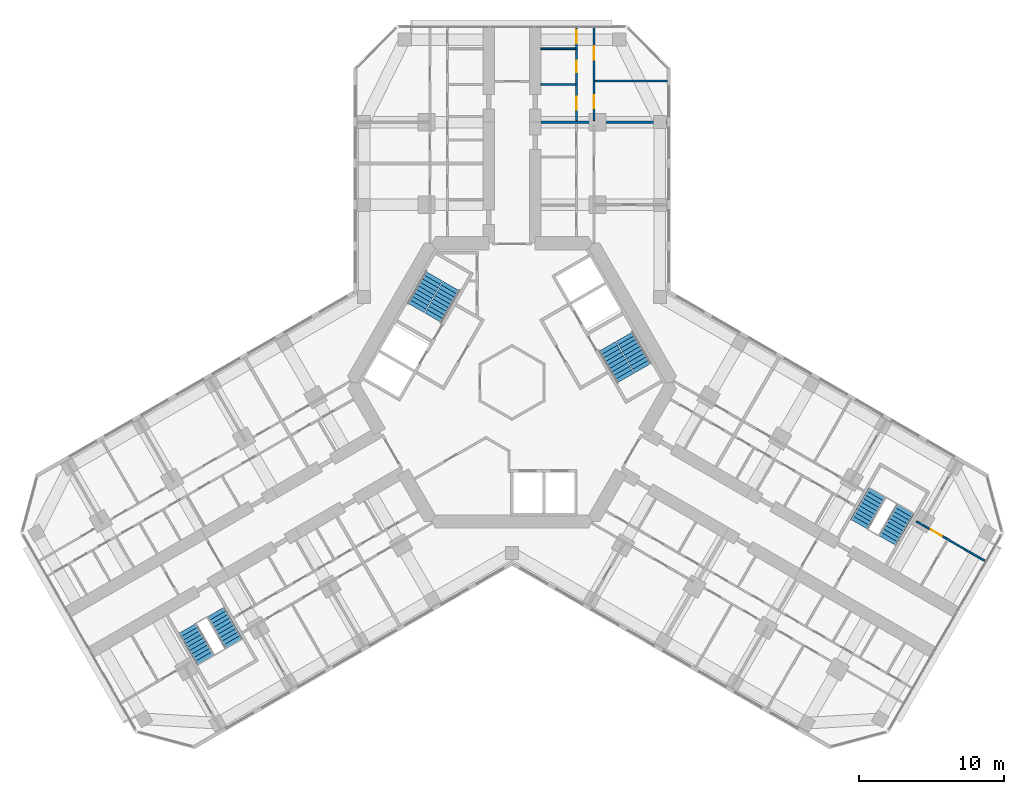
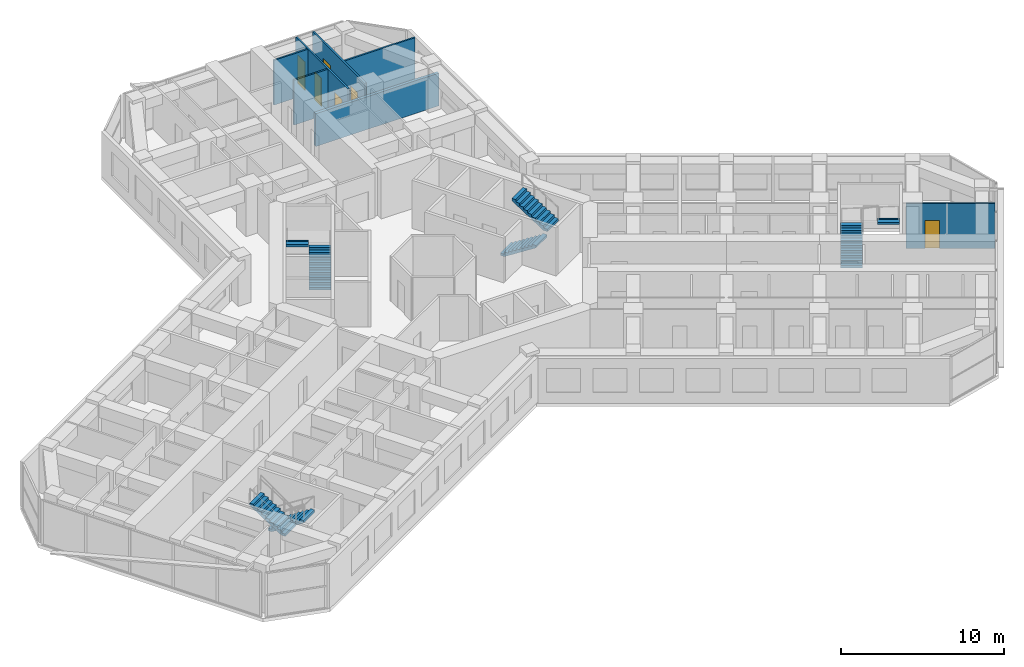
# One storey, part 18 of 19: 8 stair flights, 7 walls, 6 doors, 6 openings, 4 elements without a shape of their own.
"""IFC4 building model written with IfcOpenShell, lengths in metres."""

from ifc_helpers import new_model, si_unit, direction, frame, frame_2d, origin, place, context, subcontext, project, spatial, polyline, rectangle, outline, extrude, material, layer, layer_set, type_object, element, fill, aggregate, save


model = new_model("IFC4")

# Units and contexts
model_context = context("Model", 3, precision=1e-05, world=origin(), true_north=direction((0.0, 1.0)))
body_context = subcontext(model_context, "Body", "Model", "MODEL_VIEW")
ifc_project = project(units=[si_unit("LENGTHUNIT", "METRE"), si_unit("AREAUNIT", "SQUARE_METRE"), si_unit("VOLUMEUNIT", "CUBIC_METRE"), si_unit("PLANEANGLEUNIT", "RADIAN"), si_unit("MASSUNIT", "GRAM", prefix="KILO")], contexts=[model_context])

# Site, building, storey
site_placement = place(None, origin())
site = spatial("IfcSite", under=ifc_project, at=site_placement, CompositionType="ELEMENT")
building_placement = place(site_placement, origin())
building = spatial("IfcBuilding", under=site, at=building_placement, Name="Kosmar Iwan School Tower", CompositionType="ELEMENT")
storey_placement = place(building_placement, frame((0.0, 0.0, 138.199951171875)))
storey = spatial("IfcBuildingStorey", under=building, at=storey_placement, Name="L34", CompositionType="ELEMENT", Elevation=138.199951171875)

# Wall, openings, doors
ifc_material_1 = material(Name="Gypsum board on steel studs", Category="steel")
ifc_layer_1 = layer(ifc_material_1, 0.1201171875)
ifc_layer_set_1 = layer_set([ifc_layer_1], Name="Dwelling partition 120")
wall_type_1 = type_object("IfcWallType", Name="Dwelling partition 120", PredefinedType="PARTITIONING", material=ifc_layer_set_1)
wall_1_placement = place(storey_placement, frame((4.449951171875, 18.050048828125, 0.0), z_axis=(0.0, 0.0, 1.0), x_axis=(0.0, 1.0, 0.0)))
wall_1 = element("IfcWall", 1, at=wall_1_placement, inside=storey, type_object=wall_type_1, Name="Partition L34-AR2-W1", PredefinedType="PARTITIONING", context=body_context, shape_type="SweptSolid", body=[
    extrude(rectangle(XDim=6.39501953125, YDim=0.1201171875, at=frame_2d((3.197509765625, 0.0))), origin(), (0.0, 0.0, 1.0), 3.35009765625),
])
opening_1_placement = place(wall_1_placement, frame((0.75, 0.0, 0.0)))
opening_1 = element("IfcOpeningElement", 2, at=opening_1_placement, cuts=wall_1, Name="Opening D2", PredefinedType="OPENING", context=body_context, shape_type="SweptSolid", body=[
    extrude(rectangle(XDim=0.89990234375, YDim=2.10009765625, at=frame_2d((0.449951171875, 1.050048828125))), frame((0.0, 0.072021484375, 0.0), z_axis=(0.0, -1.0, 0.0), x_axis=(1.0, 0.0, 0.0)), (0.0, 0.0, 1.0), 0.14404296875),
])
opening_2_placement = place(wall_1_placement, frame((3.330078125, 0.0, 0.0)))
opening_2 = element("IfcOpeningElement", 3, at=opening_2_placement, cuts=wall_1, Name="Opening D3", PredefinedType="OPENING", context=body_context, shape_type="SweptSolid", body=[
    extrude(rectangle(XDim=0.800048828125, YDim=2.10009765625, at=frame_2d((0.39990234375, 1.050048828125))), frame((0.0, 0.072021484375, 0.0), z_axis=(0.0, -1.0, 0.0), x_axis=(1.0, 0.0, 0.0)), (0.0, 0.0, 1.0), 0.14404296875),
])
opening_3_placement = place(wall_1_placement, frame((5.330078125, 0.0, 0.0)))
opening_3 = element("IfcOpeningElement", 4, at=opening_3_placement, cuts=wall_1, Name="Opening D2", PredefinedType="OPENING", context=body_context, shape_type="SweptSolid", body=[
    extrude(rectangle(XDim=0.89990234375, YDim=2.10009765625, at=frame_2d((0.449951171875, 1.050048828125))), frame((0.0, 0.072021484375, 0.0), z_axis=(0.0, -1.0, 0.0), x_axis=(1.0, 0.0, 0.0)), (0.0, 0.0, 1.0), 0.14404296875),
])
ifc_material_2 = material(Name="Timber door in timber frame", Category="wood")
door_type_1 = type_object("IfcDoorType", Name="Internal door 900x2100", OperationType="SINGLE_SWING_LEFT", PredefinedType="DOOR", material=ifc_material_2)
door_1_placement = place(opening_1_placement, origin())
door_1 = element("IfcDoor", 5, at=door_1_placement, inside=storey, type_object=door_type_1, Name="Entrance hall door L34-AR2-S1", OperationType="SINGLE_SWING_RIGHT", OverallHeight=2.10009765625, OverallWidth=0.89990234375, PredefinedType="DOOR", context=body_context, shape_type="SweptSolid", body=[
    extrude(rectangle(XDim=0.89990234375, YDim=2.10009765625, at=frame_2d((0.449951171875, 1.050048828125))), frame((0.0, 0.02490234375, 0.0), z_axis=(0.0, -1.0, 0.0), x_axis=(1.0, 0.0, 0.0)), (0.0, 0.0, 1.0), 0.050048828125),
])
fill(opening_1, door_1)
door_2_placement = place(opening_3_placement, origin())
door_2 = element("IfcDoor", 6, at=door_2_placement, inside=storey, type_object=door_type_1, Name="Pantry door L34-AR2-S3", OperationType="SINGLE_SWING_RIGHT", OverallHeight=2.10009765625, OverallWidth=0.89990234375, PredefinedType="DOOR", context=body_context, shape_type="SweptSolid", body=[
    extrude(rectangle(XDim=0.89990234375, YDim=2.10009765625, at=frame_2d((0.449951171875, 1.050048828125))), frame((0.0, 0.02490234375, 0.0), z_axis=(0.0, -1.0, 0.0), x_axis=(1.0, 0.0, 0.0)), (0.0, 0.0, 1.0), 0.050048828125),
])
fill(opening_3, door_2)
ifc_material_3 = material(Name="Timber door in timber frame", Category="wood")
door_type_2 = type_object("IfcDoorType", Name="Sanitary room door 800x2100", OperationType="SINGLE_SWING_LEFT", PredefinedType="DOOR", material=ifc_material_3)
door_3_placement = place(opening_2_placement, origin())
door_3 = element("IfcDoor", 7, at=door_3_placement, inside=storey, type_object=door_type_2, Name="Bathroom door L34-AR2-S2", OperationType="SINGLE_SWING_LEFT", OverallHeight=2.10009765625, OverallWidth=0.800048828125, PredefinedType="DOOR", context=body_context, shape_type="SweptSolid", body=[
    extrude(rectangle(XDim=0.800048828125, YDim=2.10009765625, at=frame_2d((0.39990234375, 1.050048828125))), frame((0.0, 0.02490234375, 0.0), z_axis=(0.0, -1.0, 0.0), x_axis=(1.0, 0.0, 0.0)), (0.0, 0.0, 1.0), 0.050048828125),
])
fill(opening_2, door_3)

wall_2_placement = place(storey_placement, frame((5.64990234375, 18.050048828125, 0.0), z_axis=(0.0, 0.0, 1.0), x_axis=(0.0, 1.0, 0.0)))
wall_2 = element("IfcWall", 8, at=wall_2_placement, inside=storey, type_object=wall_type_1, Name="Partition L34-AR2-W2", PredefinedType="PARTITIONING", context=body_context, shape_type="SweptSolid", body=[
    extrude(rectangle(XDim=6.39501953125, YDim=0.1201171875, at=frame_2d((3.197509765625, 0.0))), origin(), (0.0, 0.0, 1.0), 3.35009765625),
])
opening_4_placement = place(wall_2_placement, frame((0.875, 0.0, 0.0)))
opening_4 = element("IfcOpeningElement", 9, at=opening_4_placement, cuts=wall_2, Name="Opening D2", PredefinedType="OPENING", context=body_context, shape_type="SweptSolid", body=[
    extrude(rectangle(XDim=0.89990234375, YDim=2.10009765625, at=frame_2d((0.449951171875, 1.050048828125))), frame((0.0, 0.072021484375, 0.0), z_axis=(0.0, -1.0, 0.0), x_axis=(1.0, 0.0, 0.0)), (0.0, 0.0, 1.0), 0.14404296875),
])
opening_5_placement = place(wall_2_placement, frame((4.22509765625, 0.0, 0.0)))
opening_5 = element("IfcOpeningElement", 10, at=opening_5_placement, cuts=wall_2, Name="Opening D2", PredefinedType="OPENING", context=body_context, shape_type="SweptSolid", body=[
    extrude(rectangle(XDim=0.89990234375, YDim=2.10009765625, at=frame_2d((0.449951171875, 1.050048828125))), frame((0.0, 0.072021484375, 0.0), z_axis=(0.0, -1.0, 0.0), x_axis=(1.0, 0.0, 0.0)), (0.0, 0.0, 1.0), 0.14404296875),
])
door_4_placement = place(opening_4_placement, origin())
door_4 = element("IfcDoor", 11, at=door_4_placement, inside=storey, type_object=door_type_1, Name="Family room and kitchen door L34-AR2-F1", OperationType="SINGLE_SWING_LEFT", OverallHeight=2.10009765625, OverallWidth=0.89990234375, PredefinedType="DOOR", context=body_context, shape_type="SweptSolid", body=[
    extrude(rectangle(XDim=0.89990234375, YDim=2.10009765625, at=frame_2d((0.449951171875, 1.050048828125))), frame((0.0, 0.02490234375, 0.0), z_axis=(0.0, -1.0, 0.0), x_axis=(1.0, 0.0, 0.0)), (0.0, 0.0, 1.0), 0.050048828125),
])
fill(opening_4, door_4)
door_5_placement = place(opening_5_placement, origin())
door_5 = element("IfcDoor", 12, at=door_5_placement, inside=storey, type_object=door_type_1, Name="Bedroom 1 door L34-AR2-F2", OperationType="SINGLE_SWING_RIGHT", OverallHeight=2.10009765625, OverallWidth=0.89990234375, PredefinedType="DOOR", context=body_context, shape_type="SweptSolid", body=[
    extrude(rectangle(XDim=0.89990234375, YDim=2.10009765625, at=frame_2d((0.449951171875, 1.050048828125))), frame((0.0, 0.02490234375, 0.0), z_axis=(0.0, -1.0, 0.0), x_axis=(1.0, 0.0, 0.0)), (0.0, 0.0, 1.0), 0.050048828125),
])
fill(opening_5, door_5)

# Walls
wall_3_placement = place(storey_placement, frame((5.7099609375, 20.800048828125, 0.0), z_axis=(0.0, 0.0, 1.0), x_axis=(1.0, 0.0, 0.0)))
element("IfcWall", 13, at=wall_3_placement, inside=storey, type_object=wall_type_1, Name="Partition L34-AR2-X1", PredefinedType="PARTITIONING", context=body_context, shape_type="SweptSolid", body=[
    extrude(rectangle(XDim=4.989990234375, YDim=0.1201171875, at=frame_2d((2.4951171875, 0.0))), origin(), (0.0, 0.0, 1.0), 3.35009765625),
])
for number, where, z_axis, x_axis, name in (
    (14, (2.0, 20.550048828125, 0.0), (0.0, 0.0, 1.0), (1.0, 0.0, 0.0), "Partition L34-AR2-Y1"),
    (15, (2.0, 23.010009765625, 0.0), (0.0, 0.0, 1.0), (1.0, 0.0, 0.0), "Partition L34-AR2-Y2"),
):
    element("IfcWall", number, at=place(storey_placement, frame(where, z_axis=z_axis, x_axis=x_axis)), inside=storey, type_object=wall_type_1, Name=name, PredefinedType="PARTITIONING", context=body_context, shape_type="SweptSolid", body=[
        extrude(rectangle(XDim=2.389892578125, YDim=0.1201171875, at=frame_2d((1.19482421875, 0.0))), origin(), (0.0, 0.0, 1.0), 3.35009765625),
    ])

# Wall, opening, door
wall_4_placement = place(storey_placement, frame((27.896484375, -9.58203125, 0.0), z_axis=(0.0, 0.0, 1.0), x_axis=(0.866035508231, -0.499982498177, 0.0)))
wall_4 = element("IfcWall", 16, at=wall_4_placement, inside=storey, type_object=wall_type_1, Name="Partition L34-CL2-TW", PredefinedType="PARTITIONING", context=body_context, shape_type="SweptSolid", body=[
    extrude(rectangle(XDim=5.445068359375, YDim=0.1201171875, at=frame_2d((2.72265625, 0.0))), origin(), (0.0, 0.0, 1.0), 3.35009765625),
])
opening_6_placement = place(wall_4_placement, frame((1.14990234375, 0.0, 0.0)))
opening_6 = element("IfcOpeningElement", 17, at=opening_6_placement, cuts=wall_4, Name="Opening D2", PredefinedType="OPENING", context=body_context, shape_type="SweptSolid", body=[
    extrude(rectangle(XDim=0.89990234375, YDim=2.10009765625, at=frame_2d((0.449951171875, 1.050048828125))), frame((0.0, 0.072021484375, 0.0), z_axis=(0.0, -1.0, 0.0), x_axis=(1.0, 0.0, 0.0)), (0.0, 0.0, 1.0), 0.14404296875),
])
door_6_placement = place(opening_6_placement, origin())
door_6 = element("IfcDoor", 18, at=door_6_placement, inside=storey, type_object=door_type_1, Name="Dressing room door L34-CL2-T3", OperationType="SINGLE_SWING_LEFT", OverallHeight=2.10009765625, OverallWidth=0.89990234375, PredefinedType="DOOR", context=body_context, shape_type="SweptSolid", body=[
    extrude(rectangle(XDim=0.89990234375, YDim=2.10009765625, at=frame_2d((0.449951171875, 1.050048828125))), frame((0.0, 0.02490234375, 0.0), z_axis=(0.0, -1.0, 0.0), x_axis=(1.0, 0.0, 0.0)), (0.0, 0.0, 1.0), 0.050048828125),
])
fill(opening_6, door_6)

# Wall
ifc_material_4 = material(Name="Concrete block masonry", Category="masonry")
ifc_layer_2 = layer(ifc_material_4, 0.199951171875)
ifc_layer_set_2 = layer_set([ifc_layer_2], Name="Party wall 200")
wall_type_2 = type_object("IfcWallType", Name="Party wall 200", PredefinedType="PARTITIONING", material=ifc_layer_set_2)
wall_5_placement = place(storey_placement, frame((2.0, 17.949951171875, 0.0), z_axis=(0.0, 0.0, 1.0), x_axis=(1.0, 0.0, 0.0)))
element("IfcWall", 19, at=wall_5_placement, inside=storey, type_object=wall_type_2, Name="Partition L34-AR2-PW", PredefinedType="PARTITIONING", context=body_context, shape_type="SweptSolid", body=[
    extrude(rectangle(XDim=8.699951171875, YDim=0.199951171875, at=frame_2d((4.35009765625, 0.0))), origin(), (0.0, 0.0, 1.0), 2.449951171875),
])

# Stair, stair flights
ifc_material_5 = material(Name="Concrete C35/45", Category="concrete")
stair_type_1 = type_object("IfcStairType", Name="Escape stair 3600", PredefinedType="HALF_TURN_STAIR", material=ifc_material_5)
stair_1_placement = place(storey_placement, origin())
stair_1 = element("IfcStair", 20, at=stair_1_placement, inside=storey, type_object=stair_type_1, Name="Stair WS2 L34", PredefinedType="HALF_TURN_STAIR")
ifc_material_6 = material(Name="Concrete C35/45", Category="concrete")
stair_flight_type_1 = type_object("IfcStairFlightType", Name="Escape stair flight 1350", PredefinedType="STRAIGHT", material=ifc_material_6)
stair_flight_1_placement = place(storey_placement, frame((-20.44189453125, -15.843505859375, 0.0), z_axis=(0.0, 0.0, 1.0), x_axis=(0.5, -0.866025403784, 0.0)))
stair_flight_1 = element("IfcStairFlight", 21, at=stair_flight_1_placement, type_object=stair_flight_type_1, Name="WS2 flight 1", NumberOfRisers=10, NumberOfTreads=9, PredefinedType="STRAIGHT", RiserHeight=0.18, TreadLength=0.28, context=body_context, shape_type="SweptSolid", body=[
    extrude(outline(polyline([(0.0, 0.0), (0.0, 0.179931640625), (0.280029296875, 0.179931640625), (0.280029296875, 0.360107421875), (0.56005859375, 0.360107421875), (0.56005859375, 0.5400390625), (0.840087890625, 0.5400390625), (0.840087890625, 0.719970703125), (1.1201171875, 0.719970703125), (1.1201171875, 0.89990234375), (1.39990234375, 0.89990234375), (1.39990234375, 1.080078125), (1.679931640625, 1.080078125), (1.679931640625, 1.260009765625), (1.9599609375, 1.260009765625), (1.9599609375, 1.43994140625), (2.239990234375, 1.43994140625), (2.239990234375, 1.6201171875), (2.52001953125, 1.6201171875), (2.52001953125, 1.800048828125), (2.52001953125, 1.44189453125), (0.277099609375, 0.0), (0.0, 0.0)])), frame((0.0, 0.675048828125, 0.0), z_axis=(0.0, -1.0, 0.0), x_axis=(1.0, 0.0, 0.0)), (0.0, 0.0, 1.0), 1.35009765625),
])
stair_flight_2_placement = place(storey_placement, frame((-21.13037109375, -19.15087890625, 1.800048828125), z_axis=(0.0, 0.0, 1.0), x_axis=(-0.5, 0.866025403784, 0.0)))
stair_flight_2 = element("IfcStairFlight", 22, at=stair_flight_2_placement, type_object=stair_flight_type_1, Name="WS2 flight 2", NumberOfRisers=10, NumberOfTreads=9, PredefinedType="STRAIGHT", RiserHeight=0.18, TreadLength=0.28, context=body_context, shape_type="SweptSolid", body=[
    extrude(outline(polyline([(0.0, 0.0), (0.0, 0.179931640625), (0.280029296875, 0.179931640625), (0.280029296875, 0.360107421875), (0.56005859375, 0.360107421875), (0.56005859375, 0.5400390625), (0.840087890625, 0.5400390625), (0.840087890625, 0.719970703125), (1.1201171875, 0.719970703125), (1.1201171875, 0.89990234375), (1.39990234375, 0.89990234375), (1.39990234375, 1.080078125), (1.679931640625, 1.080078125), (1.679931640625, 1.260009765625), (1.9599609375, 1.260009765625), (1.9599609375, 1.43994140625), (2.239990234375, 1.43994140625), (2.239990234375, 1.6201171875), (2.52001953125, 1.6201171875), (2.52001953125, 1.800048828125), (2.52001953125, 1.44189453125), (0.277099609375, 0.0), (0.0, 0.0)])), frame((0.0, 0.675048828125, 0.0), z_axis=(0.0, -1.0, 0.0), x_axis=(1.0, 0.0, 0.0)), (0.0, 0.0, 1.0), 1.35009765625),
])
aggregate(stair_1, [stair_flight_1, stair_flight_2])

stair_2_placement = place(storey_placement, origin())
stair_2 = element("IfcStair", 23, at=stair_2_placement, inside=storey, type_object=stair_type_1, Name="Stair WS3 L34", PredefinedType="HALF_TURN_STAIR")
stair_flight_3_placement = place(storey_placement, frame((23.94189453125, -9.781494140625, 0.0), z_axis=(0.0, 0.0, 1.0), x_axis=(0.5, 0.866025403784, 0.0)))
stair_flight_3 = element("IfcStairFlight", 24, at=stair_flight_3_placement, type_object=stair_flight_type_1, Name="WS3 flight 1", NumberOfRisers=10, NumberOfTreads=9, PredefinedType="STRAIGHT", RiserHeight=0.18, TreadLength=0.28, context=body_context, shape_type="SweptSolid", body=[
    extrude(outline(polyline([(0.0, 0.0), (0.0, 0.179931640625), (0.280029296875, 0.179931640625), (0.280029296875, 0.360107421875), (0.56005859375, 0.360107421875), (0.56005859375, 0.5400390625), (0.840087890625, 0.5400390625), (0.840087890625, 0.719970703125), (1.1201171875, 0.719970703125), (1.1201171875, 0.89990234375), (1.39990234375, 0.89990234375), (1.39990234375, 1.080078125), (1.679931640625, 1.080078125), (1.679931640625, 1.260009765625), (1.9599609375, 1.260009765625), (1.9599609375, 1.43994140625), (2.239990234375, 1.43994140625), (2.239990234375, 1.6201171875), (2.52001953125, 1.6201171875), (2.52001953125, 1.800048828125), (2.52001953125, 1.44189453125), (0.277099609375, 0.0), (0.0, 0.0)])), frame((0.0, 0.675048828125, 0.0), z_axis=(0.0, -1.0, 0.0), x_axis=(1.0, 0.0, 0.0)), (0.0, 0.0, 1.0), 1.35009765625),
])
stair_flight_4_placement = place(storey_placement, frame((27.150390625, -8.72412109375, 1.800048828125), z_axis=(0.0, 0.0, 1.0), x_axis=(-0.5, -0.866025403784, 0.0)))
stair_flight_4 = element("IfcStairFlight", 25, at=stair_flight_4_placement, type_object=stair_flight_type_1, Name="WS3 flight 2", NumberOfRisers=10, NumberOfTreads=9, PredefinedType="STRAIGHT", RiserHeight=0.18, TreadLength=0.28, context=body_context, shape_type="SweptSolid", body=[
    extrude(outline(polyline([(0.0, 0.0), (0.0, 0.179931640625), (0.280029296875, 0.179931640625), (0.280029296875, 0.360107421875), (0.56005859375, 0.360107421875), (0.56005859375, 0.5400390625), (0.840087890625, 0.5400390625), (0.840087890625, 0.719970703125), (1.1201171875, 0.719970703125), (1.1201171875, 0.89990234375), (1.39990234375, 0.89990234375), (1.39990234375, 1.080078125), (1.679931640625, 1.080078125), (1.679931640625, 1.260009765625), (1.9599609375, 1.260009765625), (1.9599609375, 1.43994140625), (2.239990234375, 1.43994140625), (2.239990234375, 1.6201171875), (2.52001953125, 1.6201171875), (2.52001953125, 1.800048828125), (2.52001953125, 1.44189453125), (0.277099609375, 0.0), (0.0, 0.0)])), frame((0.0, 0.675048828125, 0.0), z_axis=(0.0, -1.0, 0.0), x_axis=(1.0, 0.0, 0.0)), (0.0, 0.0, 1.0), 1.35009765625),
])
aggregate(stair_2, [stair_flight_3, stair_flight_4])

ifc_material_7 = material(Name="Concrete C35/45", Category="concrete")
stair_type_2 = type_object("IfcStairType", Name="Core stair 2750", PredefinedType="HALF_TURN_STAIR", material=ifc_material_7)
stair_3_placement = place(storey_placement, origin())
stair_3 = element("IfcStair", 26, at=stair_3_placement, inside=storey, type_object=stair_type_2, Name="Stair ST2 L34", PredefinedType="HALF_TURN_STAIR")
ifc_material_8 = material(Name="Concrete C35/45", Category="concrete")
stair_flight_type_2 = type_object("IfcStairFlightType", Name="Stair flight 1350", PredefinedType="STRAIGHT", material=ifc_material_8)
stair_flight_5_placement = place(storey_placement, frame((-5.42724609375, 4.44970703125, 0.0), z_axis=(0.0, 0.0, 1.0), x_axis=(0.5, 0.866025403784, 0.0)))
stair_flight_5 = element("IfcStairFlight", 27, at=stair_flight_5_placement, type_object=stair_flight_type_2, Name="ST2 flight 1", NumberOfRisers=10, NumberOfTreads=9, PredefinedType="STRAIGHT", RiserHeight=0.18, TreadLength=0.28, context=body_context, shape_type="SweptSolid", body=[
    extrude(outline(polyline([(0.0, 0.0), (0.0, 0.179931640625), (0.280029296875, 0.179931640625), (0.280029296875, 0.360107421875), (0.56005859375, 0.360107421875), (0.56005859375, 0.5400390625), (0.840087890625, 0.5400390625), (0.840087890625, 0.719970703125), (1.1201171875, 0.719970703125), (1.1201171875, 0.89990234375), (1.39990234375, 0.89990234375), (1.39990234375, 1.080078125), (1.679931640625, 1.080078125), (1.679931640625, 1.260009765625), (1.9599609375, 1.260009765625), (1.9599609375, 1.43994140625), (2.239990234375, 1.43994140625), (2.239990234375, 1.6201171875), (2.52001953125, 1.6201171875), (2.52001953125, 1.800048828125), (2.52001953125, 1.44189453125), (0.277099609375, 0.0), (0.0, 0.0)])), frame((0.0, 0.675048828125, 0.0), z_axis=(0.0, -1.0, 0.0), x_axis=(1.0, 0.0, 0.0)), (0.0, 0.0, 1.0), 1.35009765625),
])
stair_flight_6_placement = place(storey_placement, frame((-5.379638671875, 7.33203125, 1.800048828125), z_axis=(0.0, 0.0, 1.0), x_axis=(-0.5, -0.866025403784, 0.0)))
stair_flight_6 = element("IfcStairFlight", 28, at=stair_flight_6_placement, type_object=stair_flight_type_2, Name="ST2 flight 2", NumberOfRisers=10, NumberOfTreads=9, PredefinedType="STRAIGHT", RiserHeight=0.18, TreadLength=0.28, context=body_context, shape_type="SweptSolid", body=[
    extrude(outline(polyline([(0.0, 0.0), (0.0, 0.179931640625), (0.280029296875, 0.179931640625), (0.280029296875, 0.360107421875), (0.56005859375, 0.360107421875), (0.56005859375, 0.5400390625), (0.840087890625, 0.5400390625), (0.840087890625, 0.719970703125), (1.1201171875, 0.719970703125), (1.1201171875, 0.89990234375), (1.39990234375, 0.89990234375), (1.39990234375, 1.080078125), (1.679931640625, 1.080078125), (1.679931640625, 1.260009765625), (1.9599609375, 1.260009765625), (1.9599609375, 1.43994140625), (2.239990234375, 1.43994140625), (2.239990234375, 1.6201171875), (2.52001953125, 1.6201171875), (2.52001953125, 1.800048828125), (2.52001953125, 1.44189453125), (0.277099609375, 0.0), (0.0, 0.0)])), frame((0.0, 0.675048828125, 0.0), z_axis=(0.0, -1.0, 0.0), x_axis=(1.0, 0.0, 0.0)), (0.0, 0.0, 1.0), 1.35009765625),
])
aggregate(stair_3, [stair_flight_5, stair_flight_6])

stair_4_placement = place(storey_placement, origin())
stair_4 = element("IfcStair", 29, at=stair_4_placement, inside=storey, type_object=stair_type_2, Name="Stair ST1 L34", PredefinedType="HALF_TURN_STAIR")
stair_flight_7_placement = place(storey_placement, frame((6.567138671875, 2.475341796875, 0.0), z_axis=(0.0, 0.0, 1.0), x_axis=(0.5, -0.866025403784, 0.0)))
stair_flight_7 = element("IfcStairFlight", 30, at=stair_flight_7_placement, type_object=stair_flight_type_2, Name="ST1 flight 1", NumberOfRisers=10, NumberOfTreads=9, PredefinedType="STRAIGHT", RiserHeight=0.18, TreadLength=0.28, context=body_context, shape_type="SweptSolid", body=[
    extrude(outline(polyline([(0.0, 0.0), (0.0, 0.179931640625), (0.280029296875, 0.179931640625), (0.280029296875, 0.360107421875), (0.56005859375, 0.360107421875), (0.56005859375, 0.5400390625), (0.840087890625, 0.5400390625), (0.840087890625, 0.719970703125), (1.1201171875, 0.719970703125), (1.1201171875, 0.89990234375), (1.39990234375, 0.89990234375), (1.39990234375, 1.080078125), (1.679931640625, 1.080078125), (1.679931640625, 1.260009765625), (1.9599609375, 1.260009765625), (1.9599609375, 1.43994140625), (2.239990234375, 1.43994140625), (2.239990234375, 1.6201171875), (2.52001953125, 1.6201171875), (2.52001953125, 1.800048828125), (2.52001953125, 1.44189453125), (0.277099609375, 0.0), (0.0, 0.0)])), frame((0.0, 0.675048828125, 0.0), z_axis=(0.0, -1.0, 0.0), x_axis=(1.0, 0.0, 0.0)), (0.0, 0.0, 1.0), 1.35009765625),
])
stair_flight_8_placement = place(storey_placement, frame((9.03955078125, 0.992919921875, 1.800048828125), z_axis=(0.0, 0.0, 1.0), x_axis=(-0.5, 0.866025403784, 0.0)))
stair_flight_8 = element("IfcStairFlight", 31, at=stair_flight_8_placement, type_object=stair_flight_type_2, Name="ST1 flight 2", NumberOfRisers=10, NumberOfTreads=9, PredefinedType="STRAIGHT", RiserHeight=0.18, TreadLength=0.28, context=body_context, shape_type="SweptSolid", body=[
    extrude(outline(polyline([(0.0, 0.0), (0.0, 0.179931640625), (0.280029296875, 0.179931640625), (0.280029296875, 0.360107421875), (0.56005859375, 0.360107421875), (0.56005859375, 0.5400390625), (0.840087890625, 0.5400390625), (0.840087890625, 0.719970703125), (1.1201171875, 0.719970703125), (1.1201171875, 0.89990234375), (1.39990234375, 0.89990234375), (1.39990234375, 1.080078125), (1.679931640625, 1.080078125), (1.679931640625, 1.260009765625), (1.9599609375, 1.260009765625), (1.9599609375, 1.43994140625), (2.239990234375, 1.43994140625), (2.239990234375, 1.6201171875), (2.52001953125, 1.6201171875), (2.52001953125, 1.800048828125), (2.52001953125, 1.44189453125), (0.277099609375, 0.0), (0.0, 0.0)])), frame((0.0, 0.675048828125, 0.0), z_axis=(0.0, -1.0, 0.0), x_axis=(1.0, 0.0, 0.0)), (0.0, 0.0, 1.0), 1.35009765625),
])
aggregate(stair_4, [stair_flight_7, stair_flight_8])

save(model, "model.ifc")
